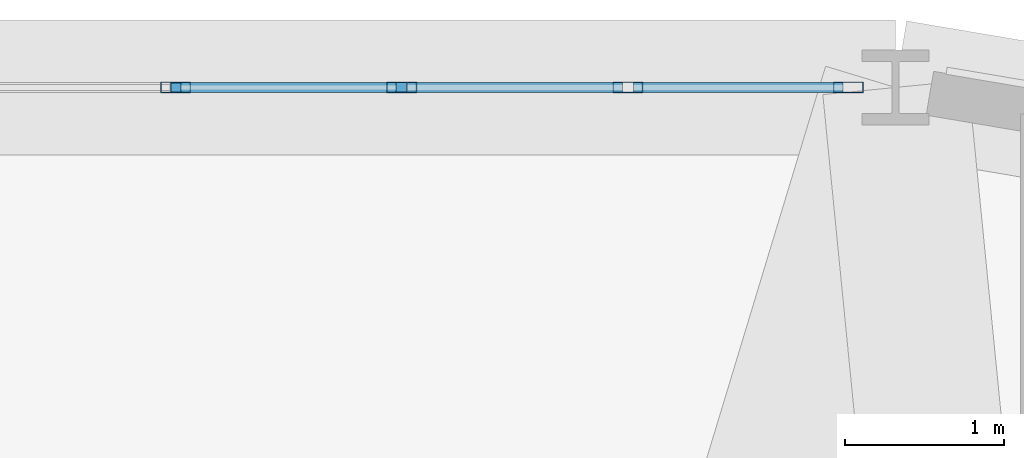
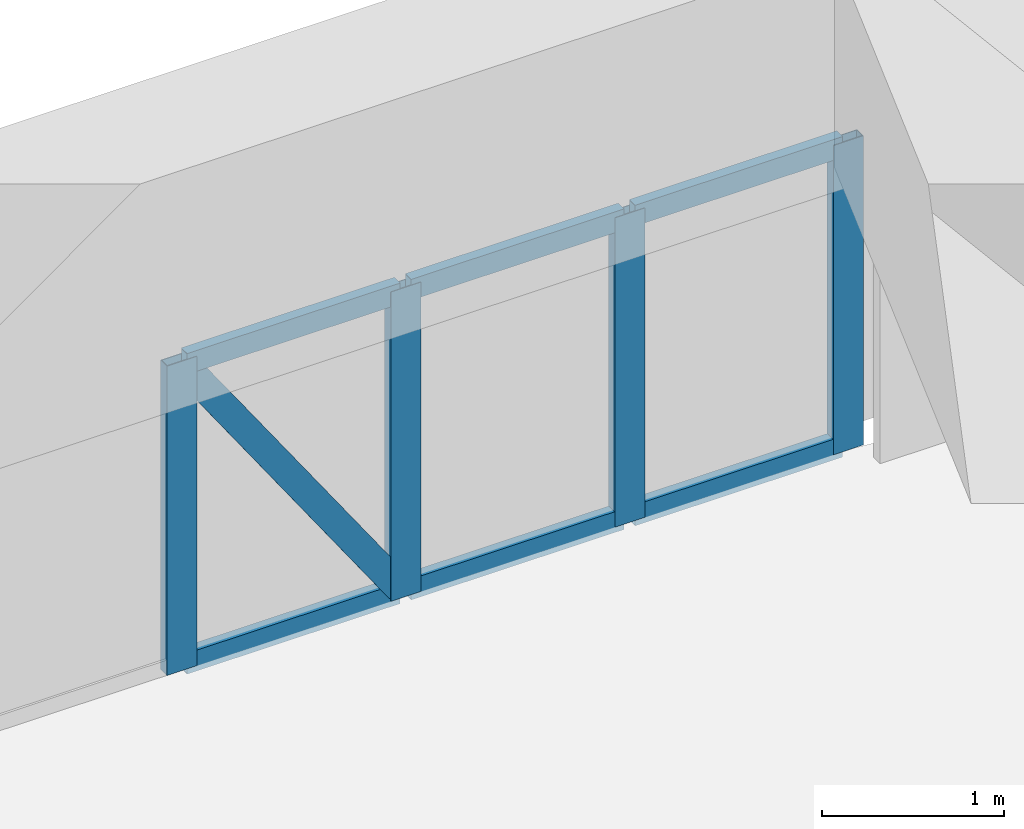
# One storey, part 13 of 20: 11 members, 1 element without a shape of its own.
"""IFC4 building model written with IfcOpenShell, lengths in metres."""

from ifc_helpers import new_model, si_unit, derived_unit, direction, frame, origin, origin_2d, place, context, subcontext, project, spatial, hollow_rectangle, extrude, source, transform, mapped, material, layer, layer_set, material_profile, profile_set, type_object, element, aggregate, save


model = new_model("IFC4")

# Units and contexts
model_context = context("Model", 3, precision=1e-05, world=origin(), true_north=direction((0.0, 1.0)))
body_context = subcontext(model_context, "Body", "Model", "MODEL_VIEW")
ifc_project = project(units=[si_unit("LENGTHUNIT", "METRE"), si_unit("AREAUNIT", "SQUARE_METRE"), si_unit("VOLUMEUNIT", "CUBIC_METRE"), si_unit("PLANEANGLEUNIT", "RADIAN"), si_unit("MASSUNIT", "GRAM", prefix="KILO"), derived_unit("THERMALTRANSMITTANCEUNIT", [(si_unit("POWERUNIT", "WATT"), 1), (si_unit("LENGTHUNIT", "METRE"), -2), (si_unit("THERMODYNAMICTEMPERATUREUNIT", "KELVIN"), -1)])], contexts=[model_context])

# Site, building, storey
site_placement = place(None, origin())
site = spatial("IfcSite", under=ifc_project, at=site_placement, CompositionType="ELEMENT")
building_placement = place(site_placement, origin())
building = spatial("IfcBuilding", under=site, at=building_placement, Name="Korsvarv Bourse and Concert Hall", CompositionType="ELEMENT")
storey_placement = place(building_placement, frame((0.0, 0.0, 31.800048828125)))
storey = spatial("IfcBuildingStorey", under=building, at=storey_placement, Name="L07", CompositionType="ELEMENT", Elevation=31.800048828125)

# Curtain wall, members
ifc_material_1 = material(Name="Anodised aluminium and triple low-E glazing", Category="glass")
ifc_layer = layer(ifc_material_1, 0.219970703125)
ifc_layer_set = layer_set([ifc_layer], Name="Anodised aluminium and triple low-E glazing")
curtain_wall_type = type_object("IfcCurtainWallType", Name="CW-SYS-1", PredefinedType="NOTDEFINED", material=ifc_layer_set)
curtain_wall_placement = place(storey_placement, origin())
curtain_wall = element("IfcCurtainWall", 1, at=curtain_wall_placement, inside=storey, type_object=curtain_wall_type, Name="L07 CW1 curtain wall CW-L07-F03", PredefinedType="NOTDEFINED")
ifc_material_2 = material(Name="Extruded aluminium EN AW-6063 T66", Category="aluminium")
ifc_material_profile_1 = material_profile(ifc_material_2, hollow_rectangle(XDim=0.070068359375, YDim=0.18994140625, WallThickness=0.0048828125, at=origin_2d()), Name="ALU-M 70x190")
ifc_profile_set_1 = profile_set([ifc_material_profile_1], Name="Extruded aluminium EN AW-6063 T66")
member_type_1 = type_object("IfcMemberType", Name="CWM-190", PredefinedType="MULLION", material=ifc_profile_set_1)
shared_shape_1 = source(origin(), body_context, "Body", "SweptSolid", [
    extrude(hollow_rectangle(XDim=0.070068359375, YDim=0.18994140625, WallThickness=0.0048828125, at=origin_2d()), origin(), (0.0, 0.0, 1.0), 2.079833984375),
])
member_1_placement = place(storey_placement, frame((43.800537109375, 57.9169921875, 0.0), z_axis=(0.0, 0.0, 1.0), x_axis=(0.0, -1.0, 0.0)))
member_1 = element("IfcMember", 2, at=member_1_placement, type_object=member_type_1, Name="CW1 mullion 1", PredefinedType="MULLION", context=body_context, shape_type="MappedRepresentation", body=[
    mapped(shared_shape_1, transform((0.0, 0.0, 0.0), scale=1.0)),
])
member_2_placement = place(storey_placement, frame((42.410888671875, 57.9169921875, 0.0), z_axis=(0.0, 0.0, 1.0), x_axis=(0.0, -1.0, 0.0)))
member_2 = element("IfcMember", 3, at=member_2_placement, type_object=member_type_1, Name="CW1 mullion 2", PredefinedType="MULLION", context=body_context, shape_type="MappedRepresentation", body=[
    mapped(shared_shape_1, transform((0.0, 0.0, 0.0), scale=1.0)),
])
member_3_placement = place(storey_placement, frame((40.986328125, 57.9169921875, 0.0), z_axis=(0.0, 0.0, 1.0), x_axis=(0.0, -1.0, 0.0)))
member_3 = element("IfcMember", 4, at=member_3_placement, type_object=member_type_1, Name="CW1 mullion 3", PredefinedType="MULLION", context=body_context, shape_type="MappedRepresentation", body=[
    mapped(shared_shape_1, transform((0.0, 0.0, 0.0), scale=1.0)),
])
member_4_placement = place(storey_placement, frame((39.5615234375, 57.9169921875, 0.0), z_axis=(0.0, 0.0, 1.0), x_axis=(0.0, -1.0, 0.0)))
member_4 = element("IfcMember", 5, at=member_4_placement, type_object=member_type_1, Name="CW1 mullion 4", PredefinedType="MULLION", context=body_context, shape_type="MappedRepresentation", body=[
    mapped(shared_shape_1, transform((0.0, 0.0, 0.0), scale=1.0)),
])
ifc_material_profile_2 = material_profile(ifc_material_2, hollow_rectangle(XDim=0.06494140625, YDim=0.139892578125, WallThickness=0.00390625, at=origin_2d()), Name="ALU-T 65x140")
ifc_profile_set_2 = profile_set([ifc_material_profile_2], Name="Extruded aluminium EN AW-6063 T66")
member_type_2 = type_object("IfcMemberType", Name="CWT-140", PredefinedType="USERDEFINED", material=ifc_profile_set_2)
shared_shape_2 = source(origin(), body_context, "Body", "SweptSolid", [
    extrude(hollow_rectangle(XDim=0.06494140625, YDim=0.139892578125, WallThickness=0.00390625, at=origin_2d()), origin(), (0.0, 0.0, 1.0), 1.319580078125),
])
member_5_placement = place(storey_placement, frame((43.765380859375, 57.9169921875, 0.032470703125), z_axis=(-1.0, 0.0, 0.0), x_axis=(0.0, -1.0, 0.0)))
member_5 = element("IfcMember", 6, at=member_5_placement, type_object=member_type_2, Name="CW1 transom 1.1", ObjectType="TRANSOM", PredefinedType="USERDEFINED", context=body_context, shape_type="MappedRepresentation", body=[
    mapped(shared_shape_2, transform((0.0, 0.0, 0.0), scale=1.0)),
])
member_6_placement = place(storey_placement, frame((43.765380859375, 57.9169921875, 2.04736328125), z_axis=(-1.0, 0.0, 0.0), x_axis=(0.0, -1.0, 0.0)))
member_6 = element("IfcMember", 7, at=member_6_placement, type_object=member_type_2, Name="CW1 transom 1.2", ObjectType="TRANSOM", PredefinedType="USERDEFINED", context=body_context, shape_type="MappedRepresentation", body=[
    mapped(shared_shape_2, transform((0.0, 0.0, 0.0), scale=1.0)),
])
shared_shape_3 = source(origin(), body_context, "Body", "SweptSolid", [
    extrude(hollow_rectangle(XDim=0.06494140625, YDim=0.139892578125, WallThickness=0.00390625, at=origin_2d()), origin(), (0.0, 0.0, 1.0), 1.354736328125),
])
member_7_placement = place(storey_placement, frame((42.3759765625, 57.9169921875, 0.032470703125), z_axis=(-1.0, 0.0, 0.0), x_axis=(0.0, -1.0, 0.0)))
member_7 = element("IfcMember", 8, at=member_7_placement, type_object=member_type_2, Name="CW1 transom 2.1", ObjectType="TRANSOM", PredefinedType="USERDEFINED", context=body_context, shape_type="MappedRepresentation", body=[
    mapped(shared_shape_3, transform((0.0, 0.0, 0.0), scale=1.0)),
])
member_8_placement = place(storey_placement, frame((42.3759765625, 57.9169921875, 2.04736328125), z_axis=(-1.0, 0.0, 0.0), x_axis=(0.0, -1.0, 0.0)))
member_8 = element("IfcMember", 9, at=member_8_placement, type_object=member_type_2, Name="CW1 transom 2.2", ObjectType="TRANSOM", PredefinedType="USERDEFINED", context=body_context, shape_type="MappedRepresentation", body=[
    mapped(shared_shape_3, transform((0.0, 0.0, 0.0), scale=1.0)),
])
shared_shape_4 = source(origin(), body_context, "Body", "SweptSolid", [
    extrude(hollow_rectangle(XDim=0.06494140625, YDim=0.139892578125, WallThickness=0.00390625, at=origin_2d()), origin(), (0.0, 0.0, 1.0), 1.3544921875),
])
member_9_placement = place(storey_placement, frame((40.951171875, 57.9169921875, 0.032470703125), z_axis=(-1.0, 0.0, 0.0), x_axis=(0.0, -1.0, 0.0)))
member_9 = element("IfcMember", 10, at=member_9_placement, type_object=member_type_2, Name="CW1 transom 3.1", ObjectType="TRANSOM", PredefinedType="USERDEFINED", context=body_context, shape_type="MappedRepresentation", body=[
    mapped(shared_shape_4, transform((0.0, 0.0, 0.0), scale=1.0)),
])
member_10_placement = place(storey_placement, frame((40.951171875, 57.9169921875, 2.04736328125), z_axis=(-1.0, 0.0, 0.0), x_axis=(0.0, -1.0, 0.0)))
member_10 = element("IfcMember", 11, at=member_10_placement, type_object=member_type_2, Name="CW1 transom 3.2", ObjectType="TRANSOM", PredefinedType="USERDEFINED", context=body_context, shape_type="MappedRepresentation", body=[
    mapped(shared_shape_4, transform((0.0, 0.0, 0.0), scale=1.0)),
])
ifc_material_profile_3 = material_profile(ifc_material_2, hollow_rectangle(XDim=0.06494140625, YDim=0.1650390625, WallThickness=0.0048828125, at=origin_2d()), Name="ALU-M 65x165")
ifc_profile_set_3 = profile_set([ifc_material_profile_3], Name="Extruded aluminium EN AW-6063 T66")
member_type_3 = type_object("IfcMemberType", Name="CWM-165", PredefinedType="MULLION", material=ifc_profile_set_3)
shared_shape_5 = source(origin(), body_context, "Body", "SweptSolid", [
    extrude(hollow_rectangle(XDim=0.06494140625, YDim=0.1650390625, WallThickness=0.0048828125, at=origin_2d()), origin(), (0.0, 0.0, 1.0), 2.374267578125),
])
member_11_placement = place(storey_placement, frame((40.951171875, 57.9169921875, 0.06494140625), z_axis=(-0.570497938684, 0.0, 0.821299033213), x_axis=(0.0, -1.0, 0.0)))
member_11 = element("IfcMember", 12, at=member_11_placement, type_object=member_type_3, Name="CW1 diagonal mullion 3", PredefinedType="MULLION", context=body_context, shape_type="MappedRepresentation", body=[
    mapped(shared_shape_5, transform((0.0, 0.0, 0.0), scale=1.0)),
])
aggregate(curtain_wall, [member_1, member_2, member_3, member_4, member_5, member_6, member_7, member_8, member_9, member_10, member_11])

save(model, "model.ifc")
